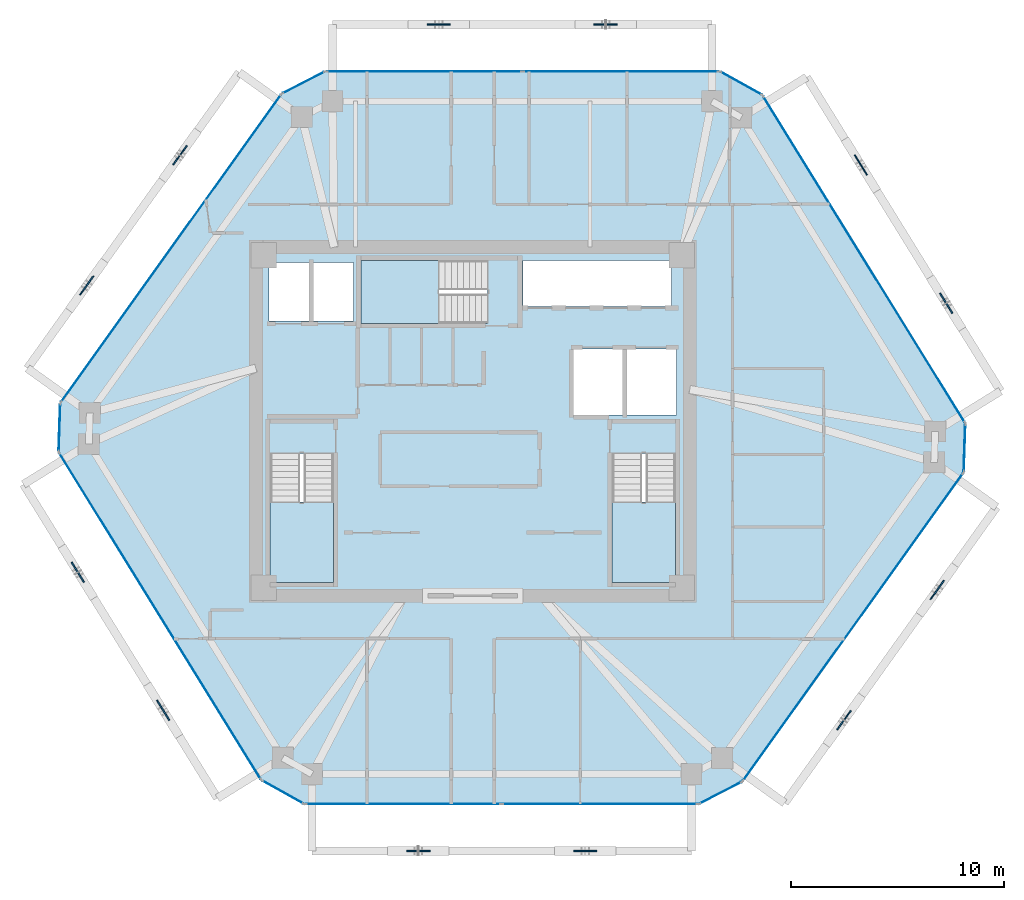
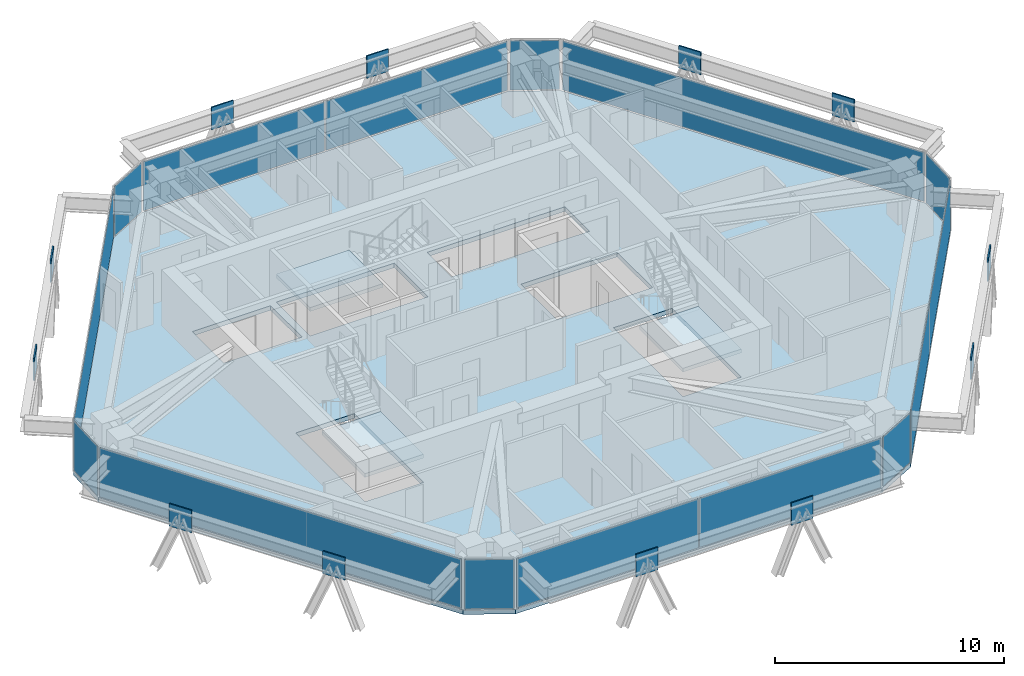
# One storey, part 7 of 15: 26 plates, 4 slabs, 15 elements without a shape of their own.
"""IFC4 building model written with IfcOpenShell, lengths in metres."""

from ifc_helpers import new_model, si_unit, direction, frame, origin, origin_2d, place, context, subcontext, project, spatial, polyline, rectangle, outline, extrude, source, transform, mapped, material, layer, layer_set, type_object, type_shapes, element, aggregate, save


model = new_model("IFC4")

# Units and contexts
model_context = context("Model", 3, precision=1e-05, world=origin(), true_north=direction((0.0, 1.0)))
body_context = subcontext(model_context, "Body", "Model", "MODEL_VIEW")
ifc_project = project(units=[si_unit("LENGTHUNIT", "METRE"), si_unit("AREAUNIT", "SQUARE_METRE"), si_unit("VOLUMEUNIT", "CUBIC_METRE"), si_unit("PLANEANGLEUNIT", "RADIAN"), si_unit("MASSUNIT", "GRAM", prefix="KILO")], contexts=[model_context])

# Site, building, storey
site_placement = place(None, origin())
site = spatial("IfcSite", under=ifc_project, at=site_placement, CompositionType="ELEMENT")
building_placement = place(site_placement, origin())
building = spatial("IfcBuilding", under=site, at=building_placement, Name="Durnholm Broadcast Tower", CompositionType="ELEMENT")
storey_placement = place(building_placement, frame((0.0, 0.0, 206.199951171875)))
storey = spatial("IfcBuildingStorey", under=building, at=storey_placement, Name="L57", CompositionType="ELEMENT", Elevation=206.199951171875)

# Slab
ifc_material_1 = material(Name="Concrete C50/60", Category="concrete")
ifc_layer_1 = layer(ifc_material_1, 0.239990234375)
ifc_layer_set_1 = layer_set([ifc_layer_1], Name="Concrete C50/60")
slab_type_1 = type_object("IfcSlabType", Name="SLAB-FLR-240", PredefinedType="FLOOR", material=ifc_layer_set_1)
slab_1_placement = place(storey_placement, frame((0.0, 0.0, -0.239990234375)))
element("IfcSlab", 1, at=slab_1_placement, inside=storey, type_object=slab_type_1, Name="L57 structural floor slab", PredefinedType="FLOOR", context=body_context, shape_type="SweptSolid", body=[
    extrude(outline(polyline([(-9.912353515625, -16.822021484375), (-7.9033203125, -17.94189453125), (10.59521484375, -17.94189453125), (12.64111328125, -16.890625), (23.022705078125, -2.390380859375), (23.1005859375, -0.091552734375), (13.59033203125, 15.2978515625), (11.581298828125, 16.41796875), (-6.917236328125, 16.41796875), (-8.962890625, 15.36669921875), (-19.3447265625, 0.8662109375), (-19.422607421875, -1.432373046875), (-9.912353515625, -16.822021484375)]), holes=[polyline([(-6.5400390625, -1.5), (-9.5, -1.5), (-9.5, -7.550048828125), (-6.5400390625, -7.550048828125), (-6.5400390625, -1.5)]), polyline([(9.5, -7.550048828125), (9.5, -1.5), (6.5400390625, -1.5), (6.5400390625, -7.550048828125), (9.5, -7.550048828125)]), polyline([(9.550048828125, 3.39990234375), (4.699951171875, 3.39990234375), (4.699951171875, 0.300048828125), (9.550048828125, 0.300048828125), (9.550048828125, 3.39990234375)]), polyline([(-9.550048828125, 7.449951171875), (-9.550048828125, 4.699951171875), (-5.60009765625, 4.699951171875), (-5.60009765625, 7.449951171875), (-9.550048828125, 7.449951171875)]), polyline([(-5.25, 4.60009765625), (0.699951171875, 4.60009765625), (0.699951171875, 7.56005859375), (-5.25, 7.56005859375), (-5.25, 4.60009765625)]), polyline([(9.31005859375, 7.550048828125), (2.35009765625, 7.550048828125), (2.35009765625, 5.39990234375), (9.31005859375, 5.39990234375), (9.31005859375, 7.550048828125)])]), origin(), (0.0, 0.0, 1.0), 0.239990234375),
])

# Stair, slab
stair_type = type_object("IfcStairType", Name="STAIR-DL-18R1667", PredefinedType="HALF_TURN_STAIR", material=ifc_material_1)
stair_1_placement = place(storey_placement, origin())
stair_1 = element("IfcStair", 2, at=stair_1_placement, inside=storey, type_object=stair_type, Name="L57 ST-1", PredefinedType="HALF_TURN_STAIR")
ifc_layer_2 = layer(ifc_material_1, 0.199951171875)
ifc_layer_set_2 = layer_set([ifc_layer_2], Name="Concrete C50/60")
slab_type_2 = type_object("IfcSlabType", Name="SLAB-LND-200", PredefinedType="LANDING", material=ifc_layer_set_2)
slab_2_placement = place(storey_placement, frame((0.0, 0.0, 1.300048828125)))
slab_2 = element("IfcSlab", 3, at=slab_2_placement, type_object=slab_type_2, Name="ST-1 landing 1", PredefinedType="LANDING", context=body_context, shape_type="SweptSolid", body=[
    extrude(outline(polyline([(-9.5, -3.780029296875), (-9.5, -7.550048828125), (-6.5400390625, -7.550048828125), (-6.5400390625, -3.780029296875), (-9.5, -3.780029296875)])), origin(), (0.0, 0.0, 1.0), 0.199951171875),
])
aggregate(stair_1, [slab_2])

stair_2_placement = place(storey_placement, origin())
stair_2 = element("IfcStair", 4, at=stair_2_placement, inside=storey, type_object=stair_type, Name="L57 ST-2", PredefinedType="HALF_TURN_STAIR")
slab_3_placement = place(storey_placement, frame((0.0, 0.0, 1.300048828125)))
slab_3 = element("IfcSlab", 5, at=slab_3_placement, type_object=slab_type_2, Name="ST-2 landing 1", PredefinedType="LANDING", context=body_context, shape_type="SweptSolid", body=[
    extrude(outline(polyline([(6.5400390625, -3.780029296875), (6.5400390625, -7.550048828125), (9.5, -7.550048828125), (9.5, -3.780029296875), (6.5400390625, -3.780029296875)])), origin(), (0.0, 0.0, 1.0), 0.199951171875),
])
aggregate(stair_2, [slab_3])

stair_3_placement = place(storey_placement, origin())
stair_3 = element("IfcStair", 6, at=stair_3_placement, inside=storey, type_object=stair_type, Name="L57 ST-3", PredefinedType="HALF_TURN_STAIR")
slab_4_placement = place(storey_placement, frame((0.0, 0.0, 1.300048828125)))
slab_4 = element("IfcSlab", 7, at=slab_4_placement, type_object=slab_type_2, Name="ST-3 landing 1", PredefinedType="LANDING", context=body_context, shape_type="SweptSolid", body=[
    extrude(outline(polyline([(-1.580078125, 7.56005859375), (-5.25, 7.56005859375), (-5.25, 4.60009765625), (-1.580078125, 4.60009765625), (-1.580078125, 7.56005859375)])), origin(), (0.0, 0.0, 1.0), 0.199951171875),
])
aggregate(stair_3, [slab_4])

# Plates
ifc_material_2 = material(Name="Steel ASTM A572 Grade 50", Category="steel")
ifc_layer_3 = layer(ifc_material_2, 0.06494140625)
ifc_layer_set_3 = layer_set([ifc_layer_3], Name="Steel ASTM A572 Grade 50")
plate_type_1 = type_object("IfcPlateType", Name="PLT-KN07-GUS", PredefinedType="USERDEFINED", material=ifc_layer_set_3)
shared_shape_1 = source(origin(), body_context, "Body", "SweptSolid", [
    extrude(rectangle(XDim=1.10009765625, YDim=0.06494140625, at=origin_2d()), origin(), (0.0, 0.0, 1.0), 1.199951171875),
])
type_shapes(plate_type_1, [shared_shape_1])
for number, where, z_axis, x_axis, name in (
    (8, (-2.556640625, -20.14208984375, 1.40869140625), (0.0, 0.0, 1.0), (1.0, 0.0, 0.0), "L57 welded diagrid node gusset plate KN07 F1"),
    (9, (5.273681640625, -20.14208984375, 1.40869140625), (0.0, 0.0, 1.0), (1.0, 0.0, 0.0), "L57 welded diagrid node gusset plate KN07 F1"),
    (10, (17.40966796875, -14.009521484375, 1.40869140625), (0.0, 0.0, 1.0), (0.582122970157, 0.813100761047, 0.0), "L57 welded diagrid node gusset plate KN07 F2"),
    (11, (21.782470703125, -7.90185546875, 1.40869140625), (0.0, 0.0, 1.0), (0.582122970157, 0.813100761047, 0.0), "L57 welded diagrid node gusset plate KN07 F2"),
    (12, (22.202392578125, 5.546875, 1.40869140625), (0.0, 0.0, 1.0), (-0.525768608156, 0.850627633385, 0.0), "L57 welded diagrid node gusset plate KN07 F3"),
    (13, (18.2001953125, 12.023193359375, 1.40869140625), (0.0, 0.0, 1.0), (-0.525768608156, 0.850627633385, 0.0), "L57 welded diagrid node gusset plate KN07 F3"),
    (14, (6.234619140625, 18.617919921875, 1.40869140625), (0.0, 0.0, 1.0), (-1.0, 0.0, 0.0), "L57 welded diagrid node gusset plate KN07 F4"),
    (15, (-1.595703125, 18.617919921875, 1.40869140625), (0.0, 0.0, 1.0), (-1.0, 0.0, 0.0), "L57 welded diagrid node gusset plate KN07 F4"),
    (16, (-13.731689453125, 12.485595703125, 1.40869140625), (0.0, 0.0, 1.0), (-0.582122970157, -0.813100761047, 0.0), "L57 welded diagrid node gusset plate KN07 F5"),
    (17, (-18.1044921875, 6.3779296875, 1.40869140625), (0.0, 0.0, 1.0), (-0.582122970157, -0.813100761047, 0.0), "L57 welded diagrid node gusset plate KN07 F5"),
    (18, (-18.5244140625, -7.07080078125, 1.40869140625), (0.0, 0.0, 1.0), (0.525768608156, -0.850627633385, 0.0), "L57 welded diagrid node gusset plate KN07 F6"),
    (19, (-14.522216796875, -13.54736328125, 1.40869140625), (0.0, 0.0, 1.0), (0.525768608156, -0.850627633385, 0.0), "L57 welded diagrid node gusset plate KN07 F6"),
):
    element("IfcPlate", number, at=place(storey_placement, frame(where, z_axis=z_axis, x_axis=x_axis)), inside=storey, type_object=plate_type_1, Name=name, ObjectType="GUSSET_PLATE", PredefinedType="USERDEFINED", context=body_context, shape_type="MappedRepresentation", body=[
        mapped(shared_shape_1, transform((0.0, 0.0, 0.0), x_axis=(1.0, 0.0, 0.0), y_axis=(0.0, 1.0, 0.0), z_axis=(0.0, 0.0, 1.0), scale=1.0)),
    ])

# Curtain wall, plate
ifc_material_3 = material(Name="Aluminium and Solar Control IGU", Category="aluminium")
ifc_layer_4 = layer(ifc_material_3, 0.1650390625)
ifc_layer_set_4 = layer_set([ifc_layer_4], Name="Aluminium and Solar Control IGU")
curtain_wall_type_1 = type_object("IfcCurtainWallType", Name="CW-SYS-5", PredefinedType="NOTDEFINED", material=ifc_layer_set_4)
curtain_wall_1_placement = place(storey_placement, origin())
curtain_wall_1 = element("IfcCurtainWall", 20, at=curtain_wall_1_placement, inside=storey, type_object=curtain_wall_type_1, Name="L57 curtain wall CW-CORNER CW-L57-CRN-01", PredefinedType="NOTDEFINED")
ifc_material_4 = material(Name="Low-E Laminated Insulating Glass", Category="glass")
ifc_layer_5 = layer(ifc_material_4, 0.030029296875)
ifc_layer_set_5 = layer_set([ifc_layer_5], Name="Low-E Laminated Insulating Glass")
plate_type_2 = type_object("IfcPlateType", Name="CW-SYS-5-PNL", PredefinedType="CURTAIN_PANEL", material=ifc_layer_set_5)
shared_shape_2 = source(origin(), body_context, "Body", "SweptSolid", [
    extrude(rectangle(XDim=2.169921875, YDim=0.030029296875, at=origin_2d()), origin(), (0.0, 0.0, 1.0), 2.6298828125),
])
plate_1_placement = place(storey_placement, frame((-19.3837890625, -0.282958984375, 0.065185546875), z_axis=(0.0, 0.0, 1.0), x_axis=(0.033912704699, 0.999424798802, 0.0)))
plate_1 = element("IfcPlate", 21, at=plate_1_placement, type_object=plate_type_2, Name="CW-CORNER panel 1.1", PredefinedType="CURTAIN_PANEL", context=body_context, shape_type="MappedRepresentation", body=[
    mapped(shared_shape_2, transform((0.0, 0.0, 0.0), x_axis=(1.0, 0.0, 0.0), y_axis=(0.0, 1.0, 0.0), z_axis=(0.0, 0.0, 1.0), scale=1.0)),
])
aggregate(curtain_wall_1, [plate_1])

curtain_wall_2_placement = place(storey_placement, origin())
curtain_wall_2 = element("IfcCurtainWall", 22, at=curtain_wall_2_placement, inside=storey, type_object=curtain_wall_type_1, Name="L57 curtain wall CW-CORNER CW-L57-CRN-03", PredefinedType="NOTDEFINED")
plate_2_placement = place(storey_placement, frame((-7.940185546875, 15.892333984375, 0.065185546875), z_axis=(0.0, 0.0, 1.0), x_axis=(0.889424679545, 0.457081764476, 0.0)))
plate_2 = element("IfcPlate", 23, at=plate_2_placement, type_object=plate_type_2, Name="CW-CORNER panel 1.1", PredefinedType="CURTAIN_PANEL", context=body_context, shape_type="MappedRepresentation", body=[
    mapped(shared_shape_2, transform((0.0, 0.0, 0.0), x_axis=(1.0, 0.0, 0.0), y_axis=(0.0, 1.0, 0.0), z_axis=(0.0, 0.0, 1.0), scale=1.0)),
])
aggregate(curtain_wall_2, [plate_2])

curtain_wall_3_placement = place(storey_placement, origin())
curtain_wall_3 = element("IfcCurtainWall", 24, at=curtain_wall_3_placement, inside=storey, type_object=curtain_wall_type_1, Name="L57 curtain wall CW-CORNER CW-L57-CRN-07", PredefinedType="NOTDEFINED")
plate_3_placement = place(storey_placement, frame((23.061767578125, -1.240966796875, 0.065185546875), z_axis=(0.0, 0.0, 1.0), x_axis=(-0.033912704699, -0.999424798802, 0.0)))
plate_3 = element("IfcPlate", 25, at=plate_3_placement, type_object=plate_type_2, Name="CW-CORNER panel 1.1", PredefinedType="CURTAIN_PANEL", context=body_context, shape_type="MappedRepresentation", body=[
    mapped(shared_shape_2, transform((0.0, 0.0, 0.0), x_axis=(1.0, 0.0, 0.0), y_axis=(0.0, 1.0, 0.0), z_axis=(0.0, 0.0, 1.0), scale=1.0)),
])
aggregate(curtain_wall_3, [plate_3])

curtain_wall_4_placement = place(storey_placement, origin())
curtain_wall_4 = element("IfcCurtainWall", 26, at=curtain_wall_4_placement, inside=storey, type_object=curtain_wall_type_1, Name="L57 curtain wall CW-CORNER CW-L57-CRN-09", PredefinedType="NOTDEFINED")
plate_4_placement = place(storey_placement, frame((11.6181640625, -17.416259765625, 0.065185546875), z_axis=(0.0, 0.0, 1.0), x_axis=(-0.889424679545, -0.457081764476, 0.0)))
plate_4 = element("IfcPlate", 27, at=plate_4_placement, type_object=plate_type_2, Name="CW-CORNER panel 1.1", PredefinedType="CURTAIN_PANEL", context=body_context, shape_type="MappedRepresentation", body=[
    mapped(shared_shape_2, transform((0.0, 0.0, 0.0), x_axis=(1.0, 0.0, 0.0), y_axis=(0.0, 1.0, 0.0), z_axis=(0.0, 0.0, 1.0), scale=1.0)),
])
aggregate(curtain_wall_4, [plate_4])

ifc_layer_6 = layer(ifc_material_3, 0.18994140625)
ifc_layer_set_6 = layer_set([ifc_layer_6], Name="Aluminium and Solar Control IGU")
curtain_wall_type_2 = type_object("IfcCurtainWallType", Name="CW-SYS-4", PredefinedType="NOTDEFINED", material=ifc_layer_set_6)
curtain_wall_5_placement = place(storey_placement, origin())
curtain_wall_5 = element("IfcCurtainWall", 28, at=curtain_wall_5_placement, inside=storey, type_object=curtain_wall_type_2, Name="L57 curtain wall CW-Z34-VIS CW-L57-F02", PredefinedType="NOTDEFINED")
ifc_layer_7 = layer(ifc_material_4, 0.033935546875)
ifc_layer_set_7 = layer_set([ifc_layer_7], Name="Low-E Laminated Insulating Glass")
plate_type_3 = type_object("IfcPlateType", Name="CW-SYS-4-PNL", PredefinedType="CURTAIN_PANEL", material=ifc_layer_set_7)
shared_shape_3 = source(origin(), body_context, "Body", "SweptSolid", [
    extrude(rectangle(XDim=17.693603515625, YDim=0.033935546875, at=origin_2d()), origin(), (0.0, 0.0, 1.0), 2.6201171875),
])
plate_5_placement = place(storey_placement, frame((-14.15380859375, 8.116455078125, 0.070068359375), z_axis=(0.0, 0.0, 1.0), x_axis=(0.582139030549, 0.813089262696, 0.0)))
plate_5 = element("IfcPlate", 29, at=plate_5_placement, type_object=plate_type_3, Name="CW-Z34-VIS panel 1.1", PredefinedType="CURTAIN_PANEL", context=body_context, shape_type="MappedRepresentation", body=[
    mapped(shared_shape_3, transform((0.0, 0.0, 0.0), x_axis=(1.0, 0.0, 0.0), y_axis=(0.0, 1.0, 0.0), z_axis=(0.0, 0.0, 1.0), scale=1.0)),
])
aggregate(curtain_wall_5, [plate_5])

curtain_wall_6_placement = place(storey_placement, origin())
curtain_wall_6 = element("IfcCurtainWall", 30, at=curtain_wall_6_placement, inside=storey, type_object=curtain_wall_type_2, Name="L57 curtain wall CW-Z34-VIS CW-L57-F08", PredefinedType="NOTDEFINED")
plate_6_placement = place(storey_placement, frame((17.831787109375, -9.640380859375, 0.070068359375), z_axis=(0.0, 0.0, 1.0), x_axis=(-0.582139030549, -0.813089262696, 0.0)))
plate_6 = element("IfcPlate", 31, at=plate_6_placement, type_object=plate_type_3, Name="CW-Z34-VIS panel 1.1", PredefinedType="CURTAIN_PANEL", context=body_context, shape_type="MappedRepresentation", body=[
    mapped(shared_shape_3, transform((0.0, 0.0, 0.0), x_axis=(1.0, 0.0, 0.0), y_axis=(0.0, 1.0, 0.0), z_axis=(0.0, 0.0, 1.0), scale=1.0)),
])
aggregate(curtain_wall_6, [plate_6])

# Curtain wall, plates
curtain_wall_7_placement = place(storey_placement, origin())
curtain_wall_7 = element("IfcCurtainWall", 32, at=curtain_wall_7_placement, inside=storey, type_object=curtain_wall_type_2, Name="L57 curtain wall CW-Z34-VIS CW-L57-F04", PredefinedType="NOTDEFINED")
shared_shape_4 = source(origin(), body_context, "Body", "SweptSolid", [
    extrude(rectangle(XDim=9.144287109375, YDim=0.033935546875, at=origin_2d()), origin(), (0.0, 0.0, 1.0), 2.6201171875),
])
plate_7_placement = place(storey_placement, frame((-2.275146484375, 16.41796875, 0.070068359375), z_axis=(0.0, 0.0, 1.0), x_axis=(1.0, 0.0, 0.0)))
plate_7 = element("IfcPlate", 33, at=plate_7_placement, type_object=plate_type_3, Name="CW-Z34-VIS panel 1.1", PredefinedType="CURTAIN_PANEL", context=body_context, shape_type="MappedRepresentation", body=[
    mapped(shared_shape_4, transform((0.0, 0.0, 0.0), x_axis=(1.0, 0.0, 0.0), y_axis=(0.0, 1.0, 0.0), z_axis=(0.0, 0.0, 1.0), scale=1.0)),
])
plate_8_placement = place(storey_placement, frame((6.939208984375, 16.41796875, 0.070068359375), z_axis=(0.0, 0.0, 1.0), x_axis=(1.0, 0.0, 0.0)))
plate_8 = element("IfcPlate", 34, at=plate_8_placement, type_object=plate_type_3, Name="CW-Z34-VIS panel 2.1", PredefinedType="CURTAIN_PANEL", context=body_context, shape_type="MappedRepresentation", body=[
    mapped(shared_shape_4, transform((0.0, 0.0, 0.0), x_axis=(1.0, 0.0, 0.0), y_axis=(0.0, 1.0, 0.0), z_axis=(0.0, 0.0, 1.0), scale=1.0)),
])
aggregate(curtain_wall_7, [plate_7, plate_8])

curtain_wall_8_placement = place(storey_placement, origin())
curtain_wall_8 = element("IfcCurtainWall", 35, at=curtain_wall_8_placement, inside=storey, type_object=curtain_wall_type_2, Name="L57 curtain wall CW-Z34-VIS CW-L57-F10", PredefinedType="NOTDEFINED")
plate_9_placement = place(storey_placement, frame((5.953125, -17.94189453125, 0.070068359375), z_axis=(0.0, 0.0, 1.0), x_axis=(-1.0, 0.0, 0.0)))
plate_9 = element("IfcPlate", 36, at=plate_9_placement, type_object=plate_type_3, Name="CW-Z34-VIS panel 1.1", PredefinedType="CURTAIN_PANEL", context=body_context, shape_type="MappedRepresentation", body=[
    mapped(shared_shape_4, transform((0.0, 0.0, 0.0), x_axis=(1.0, 0.0, 0.0), y_axis=(0.0, 1.0, 0.0), z_axis=(0.0, 0.0, 1.0), scale=1.0)),
])
plate_10_placement = place(storey_placement, frame((-3.26123046875, -17.94189453125, 0.070068359375), z_axis=(0.0, 0.0, 1.0), x_axis=(-1.0, 0.0, 0.0)))
plate_10 = element("IfcPlate", 37, at=plate_10_placement, type_object=plate_type_3, Name="CW-Z34-VIS panel 2.1", PredefinedType="CURTAIN_PANEL", context=body_context, shape_type="MappedRepresentation", body=[
    mapped(shared_shape_4, transform((0.0, 0.0, 0.0), x_axis=(1.0, 0.0, 0.0), y_axis=(0.0, 1.0, 0.0), z_axis=(0.0, 0.0, 1.0), scale=1.0)),
])
aggregate(curtain_wall_8, [plate_9, plate_10])

# Curtain wall, plate
curtain_wall_9_placement = place(storey_placement, origin())
curtain_wall_9 = element("IfcCurtainWall", 38, at=curtain_wall_9_placement, inside=storey, type_object=curtain_wall_type_1, Name="L57 curtain wall CW-CORNER CW-L57-CRN-05", PredefinedType="NOTDEFINED")
shared_shape_5 = source(origin(), body_context, "Body", "SweptSolid", [
    extrude(rectangle(XDim=2.170166015625, YDim=0.030029296875, at=origin_2d()), origin(), (0.0, 0.0, 1.0), 2.6298828125),
])
type_shapes(plate_type_2, [shared_shape_2, shared_shape_5])
plate_11_placement = place(storey_placement, frame((12.5859375, 15.85791015625, 0.065185546875), z_axis=(0.0, 0.0, 1.0), x_axis=(0.873409751271, -0.486986043316, 0.0)))
plate_11 = element("IfcPlate", 39, at=plate_11_placement, type_object=plate_type_2, Name="CW-CORNER panel 1.1", PredefinedType="CURTAIN_PANEL", context=body_context, shape_type="MappedRepresentation", body=[
    mapped(shared_shape_5, transform((0.0, 0.0, 0.0), x_axis=(1.0, 0.0, 0.0), y_axis=(0.0, 1.0, 0.0), z_axis=(0.0, 0.0, 1.0), scale=1.0)),
])
aggregate(curtain_wall_9, [plate_11])

curtain_wall_10_placement = place(storey_placement, origin())
curtain_wall_10 = element("IfcCurtainWall", 40, at=curtain_wall_10_placement, inside=storey, type_object=curtain_wall_type_1, Name="L57 curtain wall CW-CORNER CW-L57-CRN-11", PredefinedType="NOTDEFINED")
plate_12_placement = place(storey_placement, frame((-8.907958984375, -17.3818359375, 0.065185546875), z_axis=(0.0, 0.0, 1.0), x_axis=(-0.873409751271, 0.486986043316, 0.0)))
plate_12 = element("IfcPlate", 41, at=plate_12_placement, type_object=plate_type_2, Name="CW-CORNER panel 1.1", PredefinedType="CURTAIN_PANEL", context=body_context, shape_type="MappedRepresentation", body=[
    mapped(shared_shape_5, transform((0.0, 0.0, 0.0), x_axis=(1.0, 0.0, 0.0), y_axis=(0.0, 1.0, 0.0), z_axis=(0.0, 0.0, 1.0), scale=1.0)),
])
aggregate(curtain_wall_10, [plate_12])

curtain_wall_11_placement = place(storey_placement, origin())
curtain_wall_11 = element("IfcCurtainWall", 42, at=curtain_wall_11_placement, inside=storey, type_object=curtain_wall_type_2, Name="L57 curtain wall CW-Z34-VIS CW-L57-F06", PredefinedType="NOTDEFINED")
shared_shape_6 = source(origin(), body_context, "Body", "SweptSolid", [
    extrude(rectangle(XDim=17.950927734375, YDim=0.033935546875, at=origin_2d()), origin(), (0.0, 0.0, 1.0), 2.6201171875),
])
type_shapes(plate_type_3, [shared_shape_3, shared_shape_4, shared_shape_6])
plate_13_placement = place(storey_placement, frame((18.345458984375, 7.603271484375, 0.070068359375), z_axis=(0.0, 0.0, 1.0), x_axis=(0.525697750452, -0.850671426092, 0.0)))
plate_13 = element("IfcPlate", 43, at=plate_13_placement, type_object=plate_type_3, Name="CW-Z34-VIS panel 1.1", PredefinedType="CURTAIN_PANEL", context=body_context, shape_type="MappedRepresentation", body=[
    mapped(shared_shape_6, transform((0.0, 0.0, 0.0), x_axis=(1.0, 0.0, 0.0), y_axis=(0.0, 1.0, 0.0), z_axis=(0.0, 0.0, 1.0), scale=1.0)),
])
aggregate(curtain_wall_11, [plate_13])

curtain_wall_12_placement = place(storey_placement, origin())
curtain_wall_12 = element("IfcCurtainWall", 44, at=curtain_wall_12_placement, inside=storey, type_object=curtain_wall_type_2, Name="L57 curtain wall CW-Z34-VIS CW-L57-F12", PredefinedType="NOTDEFINED")
plate_14_placement = place(storey_placement, frame((-14.66748046875, -9.127197265625, 0.070068359375), z_axis=(0.0, 0.0, 1.0), x_axis=(-0.525697750452, 0.850671426092, 0.0)))
plate_14 = element("IfcPlate", 45, at=plate_14_placement, type_object=plate_type_3, Name="CW-Z34-VIS panel 1.1", PredefinedType="CURTAIN_PANEL", context=body_context, shape_type="MappedRepresentation", body=[
    mapped(shared_shape_6, transform((0.0, 0.0, 0.0), x_axis=(1.0, 0.0, 0.0), y_axis=(0.0, 1.0, 0.0), z_axis=(0.0, 0.0, 1.0), scale=1.0)),
])
aggregate(curtain_wall_12, [plate_14])

save(model, "model.ifc")
